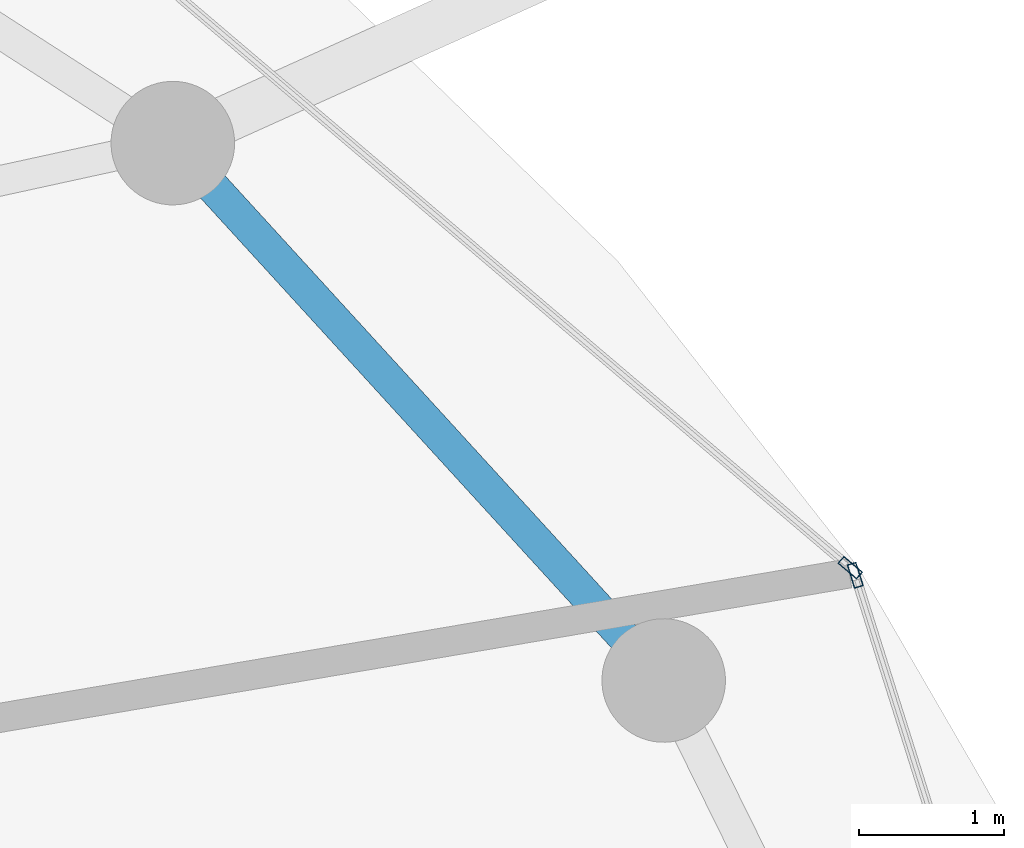
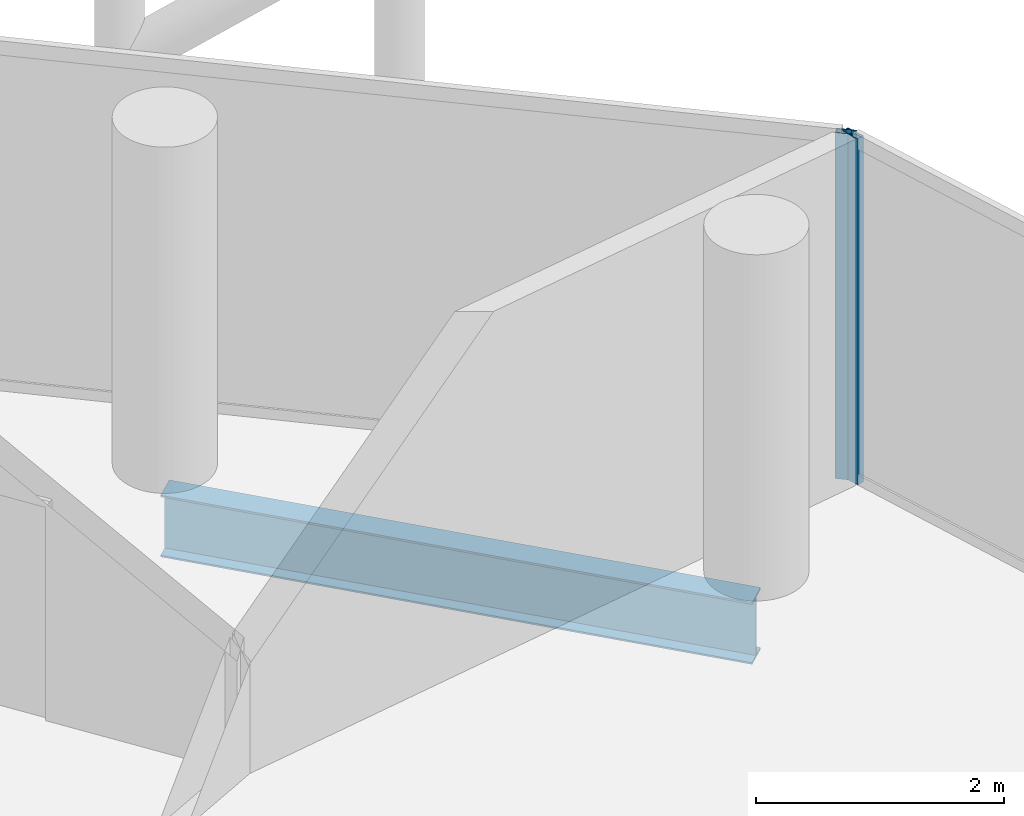
# One storey, part 17 of 27: 2 members, 1 beam, 2 elements without a shape of their own.
"""IFC4 building model written with IfcOpenShell, lengths in metres."""

from ifc_helpers import new_model, si_unit, direction, frame, origin, origin_2d, place, context, subcontext, project, spatial, hollow_rectangle, i_section, extrude, material, layer, layer_set, material_profile, profile_set, type_object, element, aggregate, save


model = new_model("IFC4")

# Units and contexts
model_context = context("Model", 3, precision=1e-05, world=origin(), true_north=direction((0.0, 1.0)))
body_context = subcontext(model_context, "Body", "Model", "MODEL_VIEW")
ifc_project = project(units=[si_unit("LENGTHUNIT", "METRE"), si_unit("AREAUNIT", "SQUARE_METRE"), si_unit("VOLUMEUNIT", "CUBIC_METRE"), si_unit("PLANEANGLEUNIT", "RADIAN"), si_unit("MASSUNIT", "GRAM", prefix="KILO")], contexts=[model_context])

# Site, building, storey
site_placement = place(None, origin())
site = spatial("IfcSite", under=ifc_project, at=site_placement, CompositionType="ELEMENT")
building_placement = place(site_placement, origin())
building = spatial("IfcBuilding", under=site, at=building_placement, Name="Nuhasar Tower", CompositionType="ELEMENT")
storey_placement = place(building_placement, frame((0.0, 0.0, 230.050048828125)))
storey = spatial("IfcBuildingStorey", under=building, at=storey_placement, Name="L56", CompositionType="ELEMENT", Elevation=230.050048828125)

# Beam
ifc_material_1 = material(Name="Steel S355", Category="steel")
ifc_material_profile_1 = material_profile(ifc_material_1, i_section(OverallWidth=0.22802734375, OverallDepth=0.60791015625, WebThickness=0.01123046875, FlangeThickness=0.017333984375, at=origin_2d()), Name="W24X76")
ifc_profile_set_1 = profile_set([ifc_material_profile_1], Name="Steel S355")
beam_type = type_object("IfcBeamType", Name="BM-RING-W24X76", PredefinedType="SPANDREL", material=ifc_profile_set_1)
beam_placement = place(storey_placement, frame((57.403076171875, 35.72509765625, -0.5439453125), z_axis=(-0.674449692975, 0.738320805373, 0.0), x_axis=(-0.738320805373, -0.674449692975, 0.0)))
element("IfcBeam", 1, at=beam_placement, inside=storey, type_object=beam_type, Name="L56 Perimeter Ring Spandrel 03", PredefinedType="SPANDREL", context=body_context, shape_type="SweptSolid", body=[
    extrude(i_section(OverallWidth=0.22802734375, OverallDepth=0.60791015625, WebThickness=0.01123046875, FlangeThickness=0.017333984375, at=origin_2d()), origin(), (0.0, 0.0, 1.0), 5.00732421875),
])

# Curtain wall, member
ifc_material_2 = material(Name="Aluminium 6063-T6", Category="aluminium")
ifc_layer = layer(ifc_material_2, 0.18994140625)
ifc_layer_set = layer_set([ifc_layer], Name="Aluminium 6063-T6")
curtain_wall_type = type_object("IfcCurtainWallType", Name="CW-Z3-RES", PredefinedType="NOTDEFINED", material=ifc_layer_set)
curtain_wall_1_placement = place(storey_placement, origin())
curtain_wall_1 = element("IfcCurtainWall", 2, at=curtain_wall_1_placement, inside=storey, type_object=curtain_wall_type, Name="L56 Unitised Curtain Wall 01", PredefinedType="NOTDEFINED")
ifc_material_profile_2 = material_profile(ifc_material_2, hollow_rectangle(XDim=0.06494140625, YDim=0.169921875, WallThickness=0.0048828125, at=origin_2d()), Name="CWM-4")
ifc_profile_set_2 = profile_set([ifc_material_profile_2], Name="Aluminium 6063-T6")
member_type = type_object("IfcMemberType", Name="CW-MUL-S4", PredefinedType="MULLION", material=ifc_profile_set_2)
member_1_placement = place(storey_placement, frame((58.720703125, 36.448974609375, 0.0), z_axis=(0.0, 0.0, 1.0), x_axis=(-0.95380429279, -0.30042864553, 0.0)))
member_1 = element("IfcMember", 3, at=member_1_placement, type_object=member_type, Name="CW-Z3 mullion 2", PredefinedType="MULLION", context=body_context, shape_type="SweptSolid", body=[
    extrude(hollow_rectangle(XDim=0.06494140625, YDim=0.169921875, WallThickness=0.0048828125, at=origin_2d()), origin(), (0.0, 0.0, 1.0), 3.409912109375),
])
aggregate(curtain_wall_1, [member_1])

curtain_wall_2_placement = place(storey_placement, origin())
curtain_wall_2 = element("IfcCurtainWall", 4, at=curtain_wall_2_placement, inside=storey, type_object=curtain_wall_type, Name="L56 Unitised Curtain Wall 02", PredefinedType="NOTDEFINED")
member_2_placement = place(storey_placement, frame((58.686279296875, 36.5009765625, 0.0), z_axis=(0.0, 0.0, 1.0), x_axis=(-0.64789521578, -0.761729472562, 0.0)))
member_2 = element("IfcMember", 5, at=member_2_placement, type_object=member_type, Name="CW-Z3 mullion 1", PredefinedType="MULLION", context=body_context, shape_type="SweptSolid", body=[
    extrude(hollow_rectangle(XDim=0.06494140625, YDim=0.169921875, WallThickness=0.0048828125, at=origin_2d()), origin(), (0.0, 0.0, 1.0), 3.409912109375),
])
aggregate(curtain_wall_2, [member_2])

save(model, "model.ifc")
